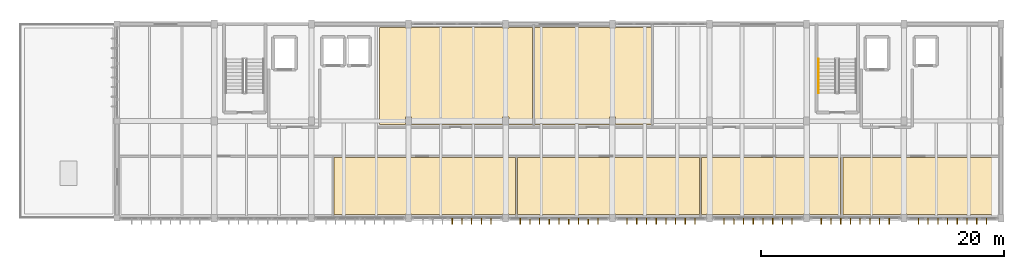
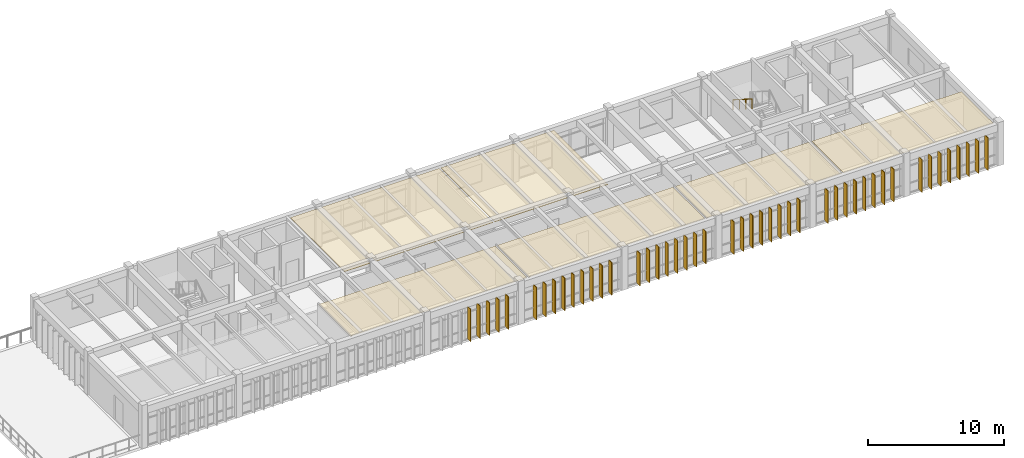
# One storey, part 14 of 15: 46 shading devices, 6 coverings, 1 railing.
"""IFC4 building model written with IfcOpenShell, lengths in metres."""

from ifc_helpers import new_model, si_unit, direction, frame, origin, origin_2d, place, context, subcontext, project, spatial, polyline, rectangle, circle, outline, extrude, material, layer, layer_set, type_object, element, save


model = new_model("IFC4")

# Units and contexts
model_context = context("Model", 3, precision=1e-05, world=origin(), true_north=direction((0.0, 1.0)))
body_context = subcontext(model_context, "Body", "Model", "MODEL_VIEW")
ifc_project = project(units=[si_unit("LENGTHUNIT", "METRE"), si_unit("AREAUNIT", "SQUARE_METRE"), si_unit("VOLUMEUNIT", "CUBIC_METRE"), si_unit("PLANEANGLEUNIT", "RADIAN"), si_unit("MASSUNIT", "GRAM", prefix="KILO")], contexts=[model_context])

# Site, building, storey
site_placement = place(None, origin())
site = spatial("IfcSite", under=ifc_project, at=site_placement, CompositionType="ELEMENT")
building_placement = place(site_placement, origin())
building = spatial("IfcBuilding", under=site, at=building_placement, Name="Tlaxcora Railside Police Headquarters", CompositionType="ELEMENT")
storey_placement = place(building_placement, frame((0.0, 0.0, 25.800048828125)))
storey = spatial("IfcBuildingStorey", under=building, at=storey_placement, Name="L06", CompositionType="ELEMENT", Elevation=25.800048828125)

# Coverings
ifc_material_1 = material(Name="Mineral-fibre acoustic ceiling tile")
ifc_layer_1 = layer(ifc_material_1, 0.034912109375, Name="Mineral-fibre acoustic ceiling tile")
ifc_layer_set_1 = layer_set([ifc_layer_1], Name="Mineral-fibre acoustic ceiling tile")
covering_type = type_object("IfcCoveringType", Name="Acoustic Suspended Ceiling CLG-01", PredefinedType="CEILING", material=ifc_layer_set_1)
covering_1_placement = place(storey_placement, frame((0.0, 0.0, 3.46484375)))
element("IfcCovering", 1, at=covering_1_placement, inside=storey, type_object=covering_type, Name="Police Legal Counsel and Disciplinary Chamber suspended ceiling", PredefinedType="CEILING", context=body_context, shape_type="SweptSolid", body=[
    extrude(outline(polyline([(46.027099609375, 77.10009765625), (46.027099609375, 81.800048828125), (31.048095703125, 81.800048828125), (31.048095703125, 77.10009765625), (36.93994140625, 77.10009765625), (36.93994140625, 77.135009765625), (37.4599609375, 77.135009765625), (37.4599609375, 77.10009765625), (44.93994140625, 77.10009765625), (44.93994140625, 77.135009765625), (45.4599609375, 77.135009765625), (45.4599609375, 77.10009765625), (46.027099609375, 77.10009765625)])), origin(), (0.0, 0.0, 1.0), 0.03515625),
])
covering_2_placement = place(storey_placement, frame((0.0, 0.0, 3.46484375)))
element("IfcCovering", 2, at=covering_2_placement, inside=storey, type_object=covering_type, Name="Inspectorate Audit and Compliance Office suspended ceiling", PredefinedType="CEILING", context=body_context, shape_type="SweptSolid", body=[
    extrude(outline(polyline([(61.166015625, 81.800048828125), (46.18701171875, 81.800048828125), (46.18701171875, 77.10009765625), (53.739990234375, 77.10009765625), (53.739990234375, 77.135009765625), (54.260009765625, 77.135009765625), (54.260009765625, 77.10009765625), (61.166015625, 77.10009765625), (61.166015625, 81.800048828125)])), origin(), (0.0, 0.0, 1.0), 0.03515625),
])
covering_3_placement = place(storey_placement, frame((0.0, 0.0, 3.46484375)))
element("IfcCovering", 3, at=covering_3_placement, inside=storey, type_object=covering_type, Name="Public Ethics and Records Archive suspended ceiling", PredefinedType="CEILING", context=body_context, shape_type="SweptSolid", body=[
    extrude(outline(polyline([(72.81103515625, 77.10009765625), (72.81103515625, 81.800048828125), (61.325927734375, 81.800048828125), (61.325927734375, 77.10009765625), (61.739990234375, 77.10009765625), (61.739990234375, 77.135009765625), (62.260009765625, 77.135009765625), (62.260009765625, 77.10009765625), (69.739990234375, 77.10009765625), (69.739990234375, 77.135009765625), (70.260009765625, 77.135009765625), (70.260009765625, 77.10009765625), (72.81103515625, 77.10009765625)])), origin(), (0.0, 0.0, 1.0), 0.03515625),
])
covering_4_placement = place(storey_placement, frame((0.0, 0.0, 3.46484375)))
element("IfcCovering", 4, at=covering_4_placement, inside=storey, type_object=covering_type, Name="Personnel Vetting and Psychology Suite suspended ceiling", PredefinedType="CEILING", context=body_context, shape_type="SweptSolid", body=[
    extrude(outline(polyline([(85.699951171875, 81.800048828125), (72.970947265625, 81.800048828125), (72.970947265625, 77.10009765625), (77.739990234375, 77.10009765625), (77.739990234375, 77.135009765625), (78.260009765625, 77.135009765625), (78.260009765625, 77.10009765625), (85.699951171875, 77.10009765625), (85.699951171875, 81.800048828125)])), origin(), (0.0, 0.0, 1.0), 0.03515625),
])
covering_5_placement = place(storey_placement, frame((0.0, 0.0, 3.46484375)))
element("IfcCovering", 5, at=covering_5_placement, inside=storey, type_object=covering_type, Name="Legal Library and Hearing Prep suspended ceiling", PredefinedType="CEILING", context=body_context, shape_type="SweptSolid", body=[
    extrude(outline(polyline([(37.4599609375, 85.135009765625), (37.4599609375, 84.5), (44.93994140625, 84.5), (44.93994140625, 85.135009765625), (45.4599609375, 85.135009765625), (45.4599609375, 84.5), (47.430908203125, 84.5), (47.430908203125, 92.5), (45.4599609375, 92.5), (45.4599609375, 92.465087890625), (44.93994140625, 92.465087890625), (44.93994140625, 92.5), (37.4599609375, 92.5), (37.4599609375, 92.465087890625), (36.93994140625, 92.465087890625), (36.93994140625, 92.5), (34.800048828125, 92.5), (34.800048828125, 84.5), (36.93994140625, 84.5), (36.93994140625, 85.135009765625), (37.4599609375, 85.135009765625)])), origin(), (0.0, 0.0, 1.0), 0.03515625),
])
covering_6_placement = place(storey_placement, frame((0.0, 0.0, 3.46484375)))
element("IfcCovering", 6, at=covering_6_placement, inside=storey, type_object=covering_type, Name="Accessible WC and Staff Restrooms L06 suspended ceiling", PredefinedType="CEILING", context=body_context, shape_type="SweptSolid", body=[
    extrude(outline(polyline([(57.208984375, 84.5), (57.208984375, 92.5), (54.260009765625, 92.5), (54.260009765625, 92.465087890625), (53.739990234375, 92.465087890625), (53.739990234375, 92.5), (47.591064453125, 92.5), (47.591064453125, 84.5), (53.739990234375, 84.5), (53.739990234375, 85.135009765625), (54.260009765625, 85.135009765625), (54.260009765625, 84.5), (57.208984375, 84.5)])), origin(), (0.0, 0.0, 1.0), 0.03515625),
])

# Shading devices
ifc_material_2 = material(Name="Anodised aluminium framing", Category="aluminium")
ifc_layer_2 = layer(ifc_material_2, 0.054931640625, Name="Anodised aluminium framing")
ifc_layer_set_2 = layer_set([ifc_layer_2], Name="Anodised aluminium framing")
shading_device_type = type_object("IfcShadingDeviceType", Name="Solar Control Fin SF-01", PredefinedType="JALOUSIE", material=ifc_layer_set_2)
for number, where, z_axis, x_axis, name in (
    (7, (40.800048828125, 76.5400390625, 0.0400390625), (0.0, 0.0, 1.0), (0.0, -1.0, 0.0), "Vertical solar fin 641"),
    (8, (41.60009765625, 76.5400390625, 0.0400390625), (0.0, 0.0, 1.0), (0.0, -1.0, 0.0), "Vertical solar fin 642"),
    (9, (42.39990234375, 76.5400390625, 0.0400390625), (0.0, 0.0, 1.0), (0.0, -1.0, 0.0), "Vertical solar fin 643"),
    (10, (43.199951171875, 76.5400390625, 0.0400390625), (0.0, 0.0, 1.0), (0.0, -1.0, 0.0), "Vertical solar fin 644"),
    (11, (44.0, 76.5400390625, 0.0400390625), (0.0, 0.0, 1.0), (0.0, -1.0, 0.0), "Vertical solar fin 645"),
    (12, (46.39990234375, 76.5400390625, 0.0400390625), (0.0, 0.0, 1.0), (0.0, -1.0, 0.0), "Vertical solar fin 646"),
    (13, (47.199951171875, 76.5400390625, 0.0400390625), (0.0, 0.0, 1.0), (0.0, -1.0, 0.0), "Vertical solar fin 647"),
    (14, (48.0, 76.5400390625, 0.0400390625), (0.0, 0.0, 1.0), (0.0, -1.0, 0.0), "Vertical solar fin 648"),
    (15, (48.800048828125, 76.5400390625, 0.0400390625), (0.0, 0.0, 1.0), (0.0, -1.0, 0.0), "Vertical solar fin 649"),
    (16, (49.60009765625, 76.5400390625, 0.0400390625), (0.0, 0.0, 1.0), (0.0, -1.0, 0.0), "Vertical solar fin 650"),
    (17, (50.39990234375, 76.5400390625, 0.0400390625), (0.0, 0.0, 1.0), (0.0, -1.0, 0.0), "Vertical solar fin 651"),
    (18, (51.199951171875, 76.5400390625, 0.0400390625), (0.0, 0.0, 1.0), (0.0, -1.0, 0.0), "Vertical solar fin 652"),
    (19, (52.0, 76.5400390625, 0.0400390625), (0.0, 0.0, 1.0), (0.0, -1.0, 0.0), "Vertical solar fin 653"),
    (20, (52.800048828125, 76.5400390625, 0.0400390625), (0.0, 0.0, 1.0), (0.0, -1.0, 0.0), "Vertical solar fin 654"),
    (21, (55.199951171875, 76.5400390625, 0.0400390625), (0.0, 0.0, 1.0), (0.0, -1.0, 0.0), "Vertical solar fin 655"),
    (22, (56.0, 76.5400390625, 0.0400390625), (0.0, 0.0, 1.0), (0.0, -1.0, 0.0), "Vertical solar fin 656"),
    (23, (56.800048828125, 76.5400390625, 0.0400390625), (0.0, 0.0, 1.0), (0.0, -1.0, 0.0), "Vertical solar fin 657"),
    (24, (57.60009765625, 76.5400390625, 0.0400390625), (0.0, 0.0, 1.0), (0.0, -1.0, 0.0), "Vertical solar fin 658"),
    (25, (58.39990234375, 76.5400390625, 0.0400390625), (0.0, 0.0, 1.0), (0.0, -1.0, 0.0), "Vertical solar fin 659"),
    (26, (59.199951171875, 76.5400390625, 0.0400390625), (0.0, 0.0, 1.0), (0.0, -1.0, 0.0), "Vertical solar fin 660"),
    (27, (60.0, 76.5400390625, 0.0400390625), (0.0, 0.0, 1.0), (0.0, -1.0, 0.0), "Vertical solar fin 661"),
    (28, (60.800048828125, 76.5400390625, 0.0400390625), (0.0, 0.0, 1.0), (0.0, -1.0, 0.0), "Vertical solar fin 662"),
    (29, (63.199951171875, 76.5400390625, 0.0400390625), (0.0, 0.0, 1.0), (0.0, -1.0, 0.0), "Vertical solar fin 663"),
    (30, (64.0, 76.5400390625, 0.0400390625), (0.0, 0.0, 1.0), (0.0, -1.0, 0.0), "Vertical solar fin 664"),
    (31, (64.800048828125, 76.5400390625, 0.0400390625), (0.0, 0.0, 1.0), (0.0, -1.0, 0.0), "Vertical solar fin 665"),
    (32, (65.60009765625, 76.5400390625, 0.0400390625), (0.0, 0.0, 1.0), (0.0, -1.0, 0.0), "Vertical solar fin 666"),
    (33, (66.39990234375, 76.5400390625, 0.0400390625), (0.0, 0.0, 1.0), (0.0, -1.0, 0.0), "Vertical solar fin 667"),
    (34, (67.199951171875, 76.5400390625, 0.0400390625), (0.0, 0.0, 1.0), (0.0, -1.0, 0.0), "Vertical solar fin 668"),
    (35, (68.0, 76.5400390625, 0.0400390625), (0.0, 0.0, 1.0), (0.0, -1.0, 0.0), "Vertical solar fin 669"),
    (36, (68.800048828125, 76.5400390625, 0.0400390625), (0.0, 0.0, 1.0), (0.0, -1.0, 0.0), "Vertical solar fin 670"),
    (37, (71.199951171875, 76.5400390625, 0.0400390625), (0.0, 0.0, 1.0), (0.0, -1.0, 0.0), "Vertical solar fin 671"),
    (38, (72.0, 76.5400390625, 0.0400390625), (0.0, 0.0, 1.0), (0.0, -1.0, 0.0), "Vertical solar fin 672"),
    (39, (72.800048828125, 76.5400390625, 0.0400390625), (0.0, 0.0, 1.0), (0.0, -1.0, 0.0), "Vertical solar fin 673"),
    (40, (73.60009765625, 76.5400390625, 0.0400390625), (0.0, 0.0, 1.0), (0.0, -1.0, 0.0), "Vertical solar fin 674"),
    (41, (74.39990234375, 76.5400390625, 0.0400390625), (0.0, 0.0, 1.0), (0.0, -1.0, 0.0), "Vertical solar fin 675"),
    (42, (75.199951171875, 76.5400390625, 0.0400390625), (0.0, 0.0, 1.0), (0.0, -1.0, 0.0), "Vertical solar fin 676"),
    (43, (76.0, 76.5400390625, 0.0400390625), (0.0, 0.0, 1.0), (0.0, -1.0, 0.0), "Vertical solar fin 677"),
    (44, (76.800048828125, 76.5400390625, 0.0400390625), (0.0, 0.0, 1.0), (0.0, -1.0, 0.0), "Vertical solar fin 678"),
    (45, (79.199951171875, 76.5400390625, 0.0400390625), (0.0, 0.0, 1.0), (0.0, -1.0, 0.0), "Vertical solar fin 679"),
    (46, (80.0, 76.5400390625, 0.0400390625), (0.0, 0.0, 1.0), (0.0, -1.0, 0.0), "Vertical solar fin 680"),
    (47, (80.800048828125, 76.5400390625, 0.0400390625), (0.0, 0.0, 1.0), (0.0, -1.0, 0.0), "Vertical solar fin 681"),
    (48, (81.60009765625, 76.5400390625, 0.0400390625), (0.0, 0.0, 1.0), (0.0, -1.0, 0.0), "Vertical solar fin 682"),
    (49, (82.39990234375, 76.5400390625, 0.0400390625), (0.0, 0.0, 1.0), (0.0, -1.0, 0.0), "Vertical solar fin 683"),
    (50, (83.199951171875, 76.5400390625, 0.0400390625), (0.0, 0.0, 1.0), (0.0, -1.0, 0.0), "Vertical solar fin 684"),
    (51, (84.0, 76.5400390625, 0.0400390625), (0.0, 0.0, 1.0), (0.0, -1.0, 0.0), "Vertical solar fin 685"),
    (52, (84.800048828125, 76.5400390625, 0.0400390625), (0.0, 0.0, 1.0), (0.0, -1.0, 0.0), "Vertical solar fin 686"),
):
    element("IfcShadingDevice", number, at=place(storey_placement, frame(where, z_axis=z_axis, x_axis=x_axis)), inside=storey, type_object=shading_device_type, Name=name, PredefinedType="JALOUSIE", context=body_context, shape_type="SweptSolid", body=[
        extrude(rectangle(XDim=0.47998046875, YDim=0.054931640625, at=origin_2d()), origin(), (0.0, 0.0, 1.0), 2.929931640625),
    ])

# Railing
ifc_material_3 = material(Name="Steel ASTM A992 Grade 50", Category="steel")
railing_type = type_object("IfcRailingType", Name="Stair and Ramp Handrail HR-01", PredefinedType="HANDRAIL", material=ifc_material_3)
railing_placement = place(storey_placement, frame((70.9599609375, 89.909912109375, 2.127197265625)))
element("IfcRailing", 53, at=railing_placement, inside=storey, type_object=railing_type, Name="L06 ST2 stair handrail 2", PredefinedType="HANDRAIL", context=body_context, shape_type="SweptSolid", body=[
    extrude(circle(Radius=0.02392578125, at=origin_2d()), frame((0.0, 0.0, 0.8759765625), z_axis=(0.0, -0.844887892834, 0.53494340686), x_axis=(1.0, 0.0, 0.0)), (0.0, 0.0, 1.0), 3.313720703125),
    extrude(circle(Radius=0.02099609375, at=origin_2d()), origin(), (0.0, 0.0, 1.0), 0.851806640625),
    extrude(circle(Radius=0.02099609375, at=origin_2d()), frame((0.0, -0.933349609375, 0.5908203125)), (0.0, 0.0, 1.0), 0.851806640625),
    extrude(circle(Radius=0.02099609375, at=origin_2d()), frame((0.0, -1.866455078125, 1.181884765625)), (0.0, 0.0, 1.0), 0.851806640625),
    extrude(circle(Radius=0.02099609375, at=origin_2d()), frame((0.0, -2.7998046875, 1.772705078125)), (0.0, 0.0, 1.0), 0.851806640625),
])

save(model, "model.ifc")
